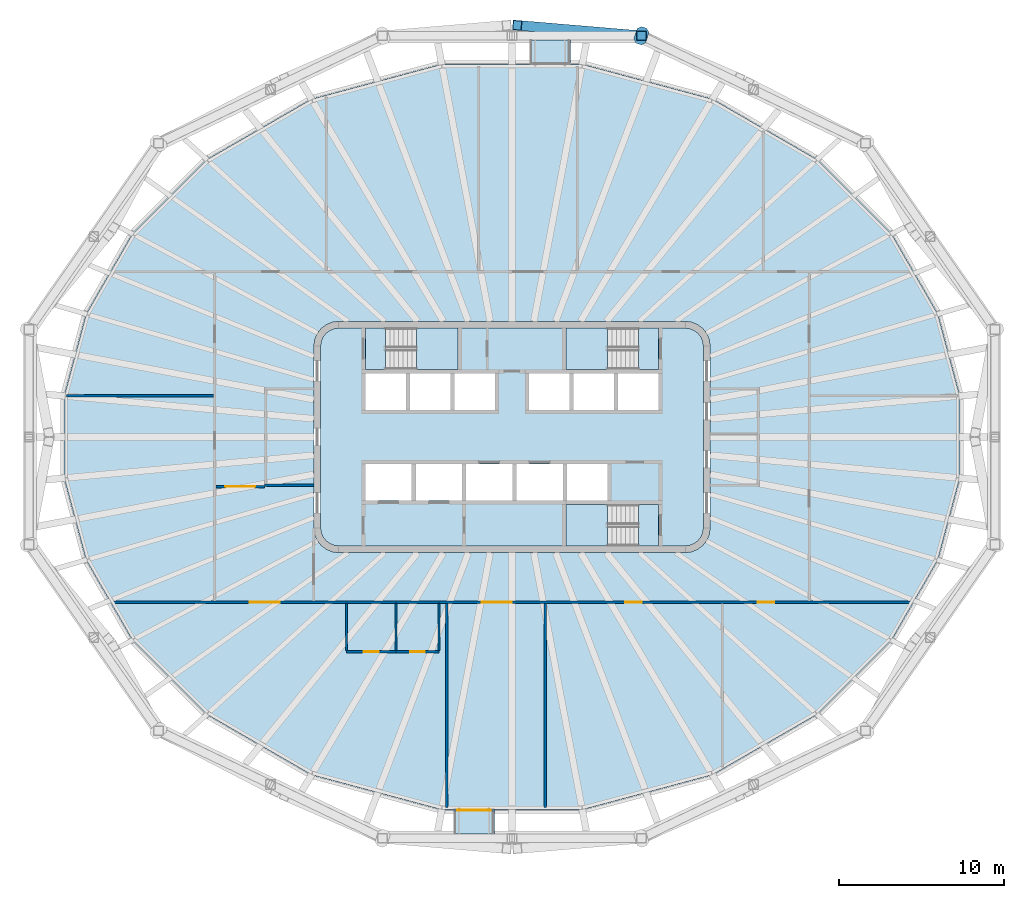
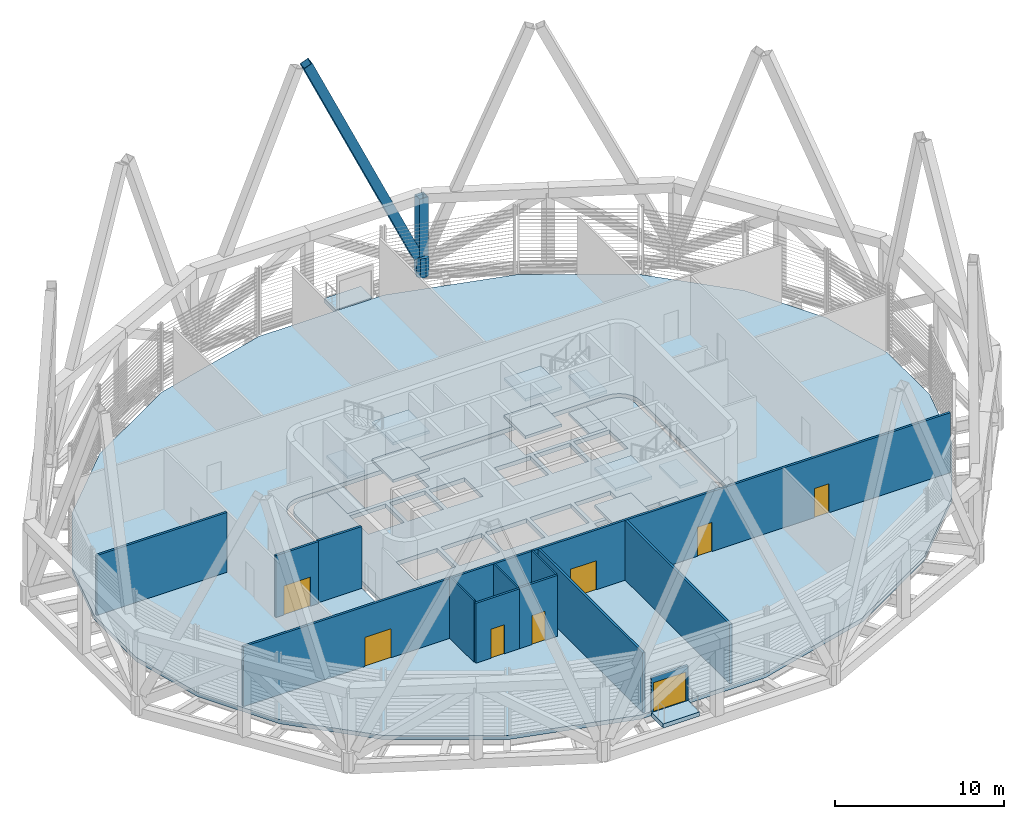
# One storey, part 5 of 16: 16 slabs, 12 walls, 8 doors, 3 members, 8 openings, 3 elements without a shape of their own.
"""IFC4 building model written with IfcOpenShell, lengths in metres."""

from ifc_helpers import new_model, si_unit, direction, frame, frame_2d, origin, origin_2d, place, context, subcontext, project, spatial, polyline, rectangle, hollow_rectangle, outline, extrude, material, layer, layer_set, material_profile, profile_set, type_object, element, fill, aggregate, save


model = new_model("IFC4")

# Units and contexts
model_context = context("Model", 3, precision=1e-05, world=origin(), true_north=direction((0.0, 1.0)))
body_context = subcontext(model_context, "Body", "Model", "MODEL_VIEW")
ifc_project = project(units=[si_unit("LENGTHUNIT", "METRE"), si_unit("AREAUNIT", "SQUARE_METRE"), si_unit("VOLUMEUNIT", "CUBIC_METRE"), si_unit("PLANEANGLEUNIT", "RADIAN"), si_unit("MASSUNIT", "GRAM", prefix="KILO")], contexts=[model_context])

# Site, building, storey
site_placement = place(None, origin())
site = spatial("IfcSite", under=ifc_project, at=site_placement, CompositionType="ELEMENT")
building_placement = place(site_placement, origin())
building = spatial("IfcBuilding", under=site, at=building_placement, Name="Sahrelin Media Tower", CompositionType="ELEMENT")
storey_placement = place(building_placement, frame((0.0, 0.0, 299.0)))
storey = spatial("IfcBuildingStorey", under=building, at=storey_placement, Name="L66", CompositionType="ELEMENT", Elevation=299.0)

# Members
ifc_material_1 = material(Name="Steel S460", Category="steel")
ifc_material_profile_1 = material_profile(ifc_material_1, hollow_rectangle(XDim=0.60009765625, YDim=0.60009765625, WallThickness=0.034912109375, at=origin_2d()), Name="Belt truss post BP")
ifc_profile_set_1 = profile_set([ifc_material_profile_1], Name="Steel S460")
member_type_1 = type_object("IfcMemberType", Name="Belt truss post BP", PredefinedType="POST", material=ifc_profile_set_1)
member_1_placement = place(storey_placement, frame((7.83740234375, 24.30322265625, 0.699951171875), z_axis=(0.0, 0.0, 1.0), x_axis=(1.0, 0.0, 0.0)))
element("IfcMember", 1, at=member_1_placement, inside=storey, type_object=member_type_1, Name="Belt truss member BT15-02-P0", PredefinedType="POST", context=body_context, shape_type="SweptSolid", body=[
    extrude(hollow_rectangle(XDim=0.60009765625, YDim=0.60009765625, WallThickness=0.034912109375, at=origin_2d()), origin(), (0.0, 0.0, 1.0), 4.199951171875),
])
ifc_material_profile_2 = material_profile(ifc_material_1, hollow_rectangle(XDim=0.60009765625, YDim=0.60009765625, WallThickness=0.030029296875, at=origin_2d()), Name="Diagrid diagonal DG9")
ifc_profile_set_2 = profile_set([ifc_material_profile_2], Name="Steel S460")
member_type_2 = type_object("IfcMemberType", Name="Diagrid diagonal DG9", PredefinedType="BRACE", material=ifc_profile_set_2)
member_2_placement = place(storey_placement, frame((7.522216796875, 24.32958984375, 0.699951171875), z_axis=(-0.410453220664, 0.034510328377, 0.911228396661), x_axis=(-0.083782972623, -0.996484025712, 0.0)))
element("IfcMember", 2, at=member_2_placement, inside=storey, type_object=member_type_2, Name="Diagrid diagonal D15-05", PredefinedType="BRACE", context=body_context, shape_type="SweptSolid", body=[
    extrude(hollow_rectangle(XDim=0.60009765625, YDim=0.60009765625, WallThickness=0.030029296875, at=origin_2d()), origin(), (0.0, 0.0, 1.0), 17.55859375),
])
ifc_material_profile_3 = material_profile(ifc_material_1, outline(polyline([(0.324951171875, -0.375), (0.52490234375, -0.175048828125), (0.52490234375, 0.175048828125), (0.324951171875, 0.375), (-0.324951171875, 0.375), (-0.52490234375, 0.175048828125), (-0.52490234375, -0.175048828125), (-0.324951171875, -0.375), (0.324951171875, -0.375)])), Name="Diagrid node block 1050")
ifc_profile_set_3 = profile_set([ifc_material_profile_3], Name="Steel S460")
member_type_3 = type_object("IfcMemberType", Name="Diagrid node block 1050", PredefinedType="USERDEFINED", material=ifc_profile_set_3)
member_3_placement = place(storey_placement, frame((7.83740234375, 24.30322265625, -0.699951171875), z_axis=(0.0, 0.0, 1.0), x_axis=(0.306919783056, 0.951735386948, 0.0)))
element("IfcMember", 3, at=member_3_placement, inside=storey, type_object=member_type_3, Name="Diagrid node N15-02", ObjectType="NODE", PredefinedType="USERDEFINED", context=body_context, shape_type="SweptSolid", body=[
    extrude(outline(polyline([(0.324951171875, -0.375), (0.52490234375, -0.175048828125), (0.52490234375, 0.175048828125), (0.324951171875, 0.375), (-0.324951171875, 0.375), (-0.52490234375, 0.175048828125), (-0.52490234375, -0.175048828125), (-0.324951171875, -0.375), (0.324951171875, -0.375)])), origin(), (0.0, 0.0, 1.0), 1.39990234375),
])

# Slabs
ifc_material_2 = material(Name="Concrete C40/50", Category="concrete")
ifc_layer_1 = layer(ifc_material_2, 0.300048828125)
ifc_layer_set_1 = layer_set([ifc_layer_1], Name="Composite floor slab 300")
slab_type_1 = type_object("IfcSlabType", Name="Composite floor slab 300", PredefinedType="FLOOR", material=ifc_layer_set_1)
placement_1 = place(storey_placement, frame((0.0, 0.0, -0.300048828125)))
element("IfcSlab", 4, at=placement_1, inside=storey, type_object=slab_type_1, Name="Floor slab L66", PredefinedType="FLOOR", context=body_context, shape_type="SweptSolid", body=[
    extrude(outline(polyline([(27.13232421875, -2.488037109375), (27.13232421875, 2.488037109375), (25.8037109375, 7.446533203125), (23.000732421875, 12.301513671875), (18.49365234375, 16.80859375), (12.15087890625, 20.470703125), (4.25927734375, 22.585205078125), (-4.25927734375, 22.585205078125), (-12.15087890625, 20.470703125), (-18.49365234375, 16.80859375), (-23.000732421875, 12.301513671875), (-25.8037109375, 7.446533203125), (-27.13232421875, 2.488037109375), (-27.13232421875, -2.488037109375), (-25.8037109375, -7.446533203125), (-23.000732421875, -12.301513671875), (-18.49365234375, -16.80859375), (-12.15087890625, -20.470703125), (-4.25927734375, -22.585205078125), (4.25927734375, -22.585205078125), (12.15087890625, -20.470703125), (18.49365234375, -16.80859375), (23.000732421875, -12.301513671875), (25.8037109375, -7.446533203125), (27.13232421875, -2.488037109375)]), holes=[polyline([(11.948974609375, 5.88818359375), (12.0, 5.5), (12.0, -5.5), (11.948974609375, -5.88818359375), (11.799072265625, -6.25), (11.560791015625, -6.560791015625), (11.25, -6.799072265625), (10.88818359375, -6.948974609375), (10.5, -7.0), (-10.5, -7.0), (-10.88818359375, -6.948974609375), (-11.25, -6.799072265625), (-11.560791015625, -6.560791015625), (-11.799072265625, -6.25), (-11.948974609375, -5.88818359375), (-12.0, -5.5), (-12.0, 5.5), (-11.948974609375, 5.88818359375), (-11.799072265625, 6.25), (-11.560791015625, 6.560791015625), (-11.25, 6.799072265625), (-10.88818359375, 6.948974609375), (-10.5, 7.0), (10.5, 7.0), (10.88818359375, 6.948974609375), (11.25, 6.799072265625), (11.560791015625, 6.560791015625), (11.799072265625, 6.25), (11.948974609375, 5.88818359375)])]), origin(), (0.0, 0.0, 1.0), 0.300048828125),
])
ifc_layer_2 = layer(ifc_material_2, 0.300048828125)
ifc_layer_set_2 = layer_set([ifc_layer_2], Name="Core floor slab 300")
slab_type_2 = type_object("IfcSlabType", Name="Core floor slab 300", PredefinedType="FLOOR", material=ifc_layer_set_2)
element("IfcSlab", 5, at=placement_1, inside=storey, type_object=slab_type_2, Name="Core floor", PredefinedType="FLOOR", context=body_context, shape_type="SweptSolid", body=[
    extrude(outline(polyline([(-11.60009765625, -5.473876953125), (-11.55908203125, -5.78369140625), (-11.44970703125, -6.04833984375), (-11.275390625, -6.275390625), (-11.04833984375, -6.44970703125), (-10.78369140625, -6.55908203125), (-10.473876953125, -6.60009765625), (3.27490234375, -6.60009765625), (3.27490234375, -4.10009765625), (8.875, -4.10009765625), (8.875, -6.60009765625), (10.473876953125, -6.60009765625), (10.78369140625, -6.55908203125), (11.04833984375, -6.44970703125), (11.275390625, -6.275390625), (11.44970703125, -6.04833984375), (11.55908203125, -5.78369140625), (11.60009765625, -5.473876953125), (11.60009765625, 5.473876953125), (11.55908203125, 5.78369140625), (11.44970703125, 6.04833984375), (11.275390625, 6.275390625), (11.04833984375, 6.44970703125), (10.78369140625, 6.55908203125), (10.473876953125, 6.60009765625), (8.875, 6.60009765625), (8.875, 4.10009765625), (3.27490234375, 4.10009765625), (3.27490234375, 6.60009765625), (-3.27490234375, 6.60009765625), (-3.27490234375, 4.10009765625), (-8.875, 4.10009765625), (-8.875, 6.60009765625), (-10.473876953125, 6.60009765625), (-10.78369140625, 6.55908203125), (-11.04833984375, 6.44970703125), (-11.275390625, 6.275390625), (-11.44970703125, 6.04833984375), (-11.55908203125, 5.78369140625), (-11.60009765625, 5.473876953125), (-11.60009765625, -5.473876953125)]), holes=[polyline([(-8.875, 3.85009765625), (-8.875, 1.64990234375), (-6.425048828125, 1.64990234375), (-6.425048828125, 3.85009765625), (-8.875, 3.85009765625)]), polyline([(-3.72509765625, 3.85009765625), (-6.175048828125, 3.85009765625), (-6.175048828125, 1.64990234375), (-3.72509765625, 1.64990234375), (-3.72509765625, 3.85009765625)]), polyline([(-1.02490234375, 1.64990234375), (-1.02490234375, 3.85009765625), (-3.47509765625, 3.85009765625), (-3.47509765625, 1.64990234375), (-1.02490234375, 1.64990234375)]), polyline([(1.02490234375, 1.64990234375), (3.47509765625, 1.64990234375), (3.47509765625, 3.85009765625), (1.02490234375, 3.85009765625), (1.02490234375, 1.64990234375)]), polyline([(3.72509765625, 3.85009765625), (3.72509765625, 1.64990234375), (6.175048828125, 1.64990234375), (6.175048828125, 3.85009765625), (3.72509765625, 3.85009765625)]), polyline([(8.875, 3.85009765625), (6.425048828125, 3.85009765625), (6.425048828125, 1.64990234375), (8.875, 1.64990234375), (8.875, 3.85009765625)]), polyline([(-6.074951171875, -3.85009765625), (-6.074951171875, -1.64990234375), (-8.875, -1.64990234375), (-8.875, -3.85009765625), (-6.074951171875, -3.85009765625)]), polyline([(-5.824951171875, -3.85009765625), (-3.02490234375, -3.85009765625), (-3.02490234375, -1.64990234375), (-5.824951171875, -1.64990234375), (-5.824951171875, -3.85009765625)]), polyline([(-2.77490234375, -1.64990234375), (-2.77490234375, -3.85009765625), (0.02490234375, -3.85009765625), (0.02490234375, -1.64990234375), (-2.77490234375, -1.64990234375)]), polyline([(3.074951171875, -1.64990234375), (0.27490234375, -1.64990234375), (0.27490234375, -3.85009765625), (3.074951171875, -3.85009765625), (3.074951171875, -1.64990234375)]), polyline([(5.77490234375, -3.85009765625), (5.77490234375, -1.64990234375), (3.324951171875, -1.64990234375), (3.324951171875, -3.85009765625), (5.77490234375, -3.85009765625)])]), origin(), (0.0, 0.0, 1.0), 0.300048828125),
])
ifc_material_3 = material(Name="Steel S355", Category="steel")
ifc_layer_3 = layer(ifc_material_3, 0.14990234375)
ifc_layer_set_3 = layer_set([ifc_layer_3], Name="Maintenance platform")
slab_type_3 = type_object("IfcSlabType", Name="Maintenance platform", PredefinedType="FLOOR", material=ifc_layer_set_3)
element("IfcSlab", 6, at=placement_1, inside=storey, type_object=slab_type_3, Name="Maintenance platform L66-06", PredefinedType="FLOOR", context=body_context, shape_type="SweptSolid", body=[
    extrude(outline(polyline([(3.550048828125, 22.680419921875), (1.050048828125, 22.680419921875), (1.050048828125, 24.05322265625), (3.550048828125, 24.05322265625), (3.550048828125, 22.680419921875)])), origin(), (0.0, 0.0, 1.0), 0.300048828125),
])
element("IfcSlab", 7, at=placement_1, inside=storey, type_object=slab_type_3, Name="Maintenance platform L66-18", PredefinedType="FLOOR", context=body_context, shape_type="SweptSolid", body=[
    extrude(outline(polyline([(-3.550048828125, -22.680419921875), (-1.050048828125, -22.680419921875), (-1.050048828125, -24.05322265625), (-3.550048828125, -24.05322265625), (-3.550048828125, -22.680419921875)])), origin(), (0.0, 0.0, 1.0), 0.300048828125),
])

# Stair, slabs
stair_type = type_object("IfcStairType", Name="Exit stair 1200", PredefinedType="HALF_TURN_STAIR", material=ifc_material_2)
placement_2 = place(storey_placement, origin())
stair_1 = element("IfcStair", 8, at=placement_2, inside=storey, type_object=stair_type, Name="L66 Exit stair ST1", PredefinedType="HALF_TURN_STAIR")
ifc_layer_4 = layer(ifc_material_2, 0.199951171875)
ifc_layer_set_4 = layer_set([ifc_layer_4], Name="Stair landing 200")
slab_type_4 = type_object("IfcSlabType", Name="Stair landing 200", PredefinedType="LANDING", material=ifc_layer_set_4)
placement_3 = place(storey_placement, frame((0.0, 0.0, 1.14990234375)))
slab_5 = element("IfcSlab", 9, at=placement_3, type_object=slab_type_4, Name="ST1 landing 1", PredefinedType="LANDING", context=body_context, shape_type="SweptSolid", body=[
    extrude(outline(polyline([(-5.77490234375, 4.10009765625), (-3.27490234375, 4.10009765625), (-3.27490234375, 6.60009765625), (-5.77490234375, 6.60009765625), (-5.77490234375, 4.10009765625)])), origin(), (0.0, 0.0, 1.0), 0.2001953125),
])
placement_4 = place(storey_placement, frame((0.0, 0.0, 2.5)))
slab_6 = element("IfcSlab", 10, at=placement_4, type_object=slab_type_4, Name="ST1 landing 2", PredefinedType="LANDING", context=body_context, shape_type="SweptSolid", body=[
    extrude(outline(polyline([(-8.875, 4.10009765625), (-7.675048828125, 4.10009765625), (-7.675048828125, 6.60009765625), (-8.875, 6.60009765625), (-8.875, 4.10009765625)])), origin(), (0.0, 0.0, 1.0), 0.199951171875),
])
placement_5 = place(storey_placement, frame((0.0, 0.0, 3.85009765625)))
slab_7 = element("IfcSlab", 11, at=placement_5, type_object=slab_type_4, Name="ST1 landing 3", PredefinedType="LANDING", context=body_context, shape_type="SweptSolid", body=[
    extrude(outline(polyline([(-5.77490234375, 4.10009765625), (-3.27490234375, 4.10009765625), (-3.27490234375, 6.60009765625), (-5.77490234375, 6.60009765625), (-5.77490234375, 4.10009765625)])), origin(), (0.0, 0.0, 1.0), 0.199951171875),
])
placement_6 = place(storey_placement, frame((0.0, 0.0, -0.199951171875)))
slab_8 = element("IfcSlab", 12, at=placement_6, type_object=slab_type_4, Name="ST1 landing 4", PredefinedType="LANDING", context=body_context, shape_type="SweptSolid", body=[
    extrude(outline(polyline([(-8.875, 4.10009765625), (-7.675048828125, 4.10009765625), (-7.675048828125, 6.60009765625), (-8.875, 6.60009765625), (-8.875, 4.10009765625)])), origin(), (0.0, 0.0, 1.0), 0.199951171875),
])
aggregate(stair_1, [slab_5, slab_6, slab_7, slab_8])

stair_2 = element("IfcStair", 13, at=placement_2, inside=storey, type_object=stair_type, Name="L66 Exit stair ST3", PredefinedType="HALF_TURN_STAIR")
slab_9 = element("IfcSlab", 14, at=placement_3, type_object=slab_type_4, Name="ST3 landing 1", PredefinedType="LANDING", context=body_context, shape_type="SweptSolid", body=[
    extrude(outline(polyline([(5.77490234375, 6.60009765625), (3.27490234375, 6.60009765625), (3.27490234375, 4.10009765625), (5.77490234375, 4.10009765625), (5.77490234375, 6.60009765625)])), origin(), (0.0, 0.0, 1.0), 0.2001953125),
])
slab_10 = element("IfcSlab", 15, at=placement_4, type_object=slab_type_4, Name="ST3 landing 2", PredefinedType="LANDING", context=body_context, shape_type="SweptSolid", body=[
    extrude(outline(polyline([(8.875, 6.60009765625), (7.675048828125, 6.60009765625), (7.675048828125, 4.10009765625), (8.875, 4.10009765625), (8.875, 6.60009765625)])), origin(), (0.0, 0.0, 1.0), 0.199951171875),
])
slab_11 = element("IfcSlab", 16, at=placement_5, type_object=slab_type_4, Name="ST3 landing 3", PredefinedType="LANDING", context=body_context, shape_type="SweptSolid", body=[
    extrude(outline(polyline([(5.77490234375, 6.60009765625), (3.27490234375, 6.60009765625), (3.27490234375, 4.10009765625), (5.77490234375, 4.10009765625), (5.77490234375, 6.60009765625)])), origin(), (0.0, 0.0, 1.0), 0.199951171875),
])
slab_12 = element("IfcSlab", 17, at=placement_6, type_object=slab_type_4, Name="ST3 landing 4", PredefinedType="LANDING", context=body_context, shape_type="SweptSolid", body=[
    extrude(outline(polyline([(8.875, 6.60009765625), (7.675048828125, 6.60009765625), (7.675048828125, 4.10009765625), (8.875, 4.10009765625), (8.875, 6.60009765625)])), origin(), (0.0, 0.0, 1.0), 0.199951171875),
])
aggregate(stair_2, [slab_9, slab_10, slab_11, slab_12])

stair_3 = element("IfcStair", 18, at=placement_2, inside=storey, type_object=stair_type, Name="L66 Exit stair ST2", PredefinedType="HALF_TURN_STAIR")
slab_13 = element("IfcSlab", 19, at=placement_3, type_object=slab_type_4, Name="ST2 landing 1", PredefinedType="LANDING", context=body_context, shape_type="SweptSolid", body=[
    extrude(outline(polyline([(5.77490234375, -4.10009765625), (3.27490234375, -4.10009765625), (3.27490234375, -6.60009765625), (5.77490234375, -6.60009765625), (5.77490234375, -4.10009765625)])), origin(), (0.0, 0.0, 1.0), 0.2001953125),
])
slab_14 = element("IfcSlab", 20, at=placement_4, type_object=slab_type_4, Name="ST2 landing 2", PredefinedType="LANDING", context=body_context, shape_type="SweptSolid", body=[
    extrude(outline(polyline([(8.875, -4.10009765625), (7.675048828125, -4.10009765625), (7.675048828125, -6.60009765625), (8.875, -6.60009765625), (8.875, -4.10009765625)])), origin(), (0.0, 0.0, 1.0), 0.199951171875),
])
slab_15 = element("IfcSlab", 21, at=placement_5, type_object=slab_type_4, Name="ST2 landing 3", PredefinedType="LANDING", context=body_context, shape_type="SweptSolid", body=[
    extrude(outline(polyline([(5.77490234375, -4.10009765625), (3.27490234375, -4.10009765625), (3.27490234375, -6.60009765625), (5.77490234375, -6.60009765625), (5.77490234375, -4.10009765625)])), origin(), (0.0, 0.0, 1.0), 0.199951171875),
])
slab_16 = element("IfcSlab", 22, at=placement_6, type_object=slab_type_4, Name="ST2 landing 4", PredefinedType="LANDING", context=body_context, shape_type="SweptSolid", body=[
    extrude(outline(polyline([(8.875, -4.10009765625), (7.675048828125, -4.10009765625), (7.675048828125, -6.60009765625), (8.875, -6.60009765625), (8.875, -4.10009765625)])), origin(), (0.0, 0.0, 1.0), 0.199951171875),
])
aggregate(stair_3, [slab_13, slab_14, slab_15, slab_16])

# Wall, opening, door
ifc_material_4 = material(Name="Fire-rated gypsum board partition")
ifc_layer_5 = layer(ifc_material_4, 0.14990234375)
ifc_layer_set_5 = layer_set([ifc_layer_5], Name="Fire-rated lobby wall 150")
wall_type_1 = type_object("IfcWallType", Name="Fire-rated lobby wall 150", PredefinedType="PARTITIONING", material=ifc_layer_set_5)
wall_1_placement = place(storey_placement, frame((-15.0, -3.0, 0.0), z_axis=(0.0, 0.0, 1.0), x_axis=(-1.0, 0.0, 0.0)))
wall_1 = element("IfcWall", 23, at=wall_1_placement, inside=storey, type_object=wall_type_1, Name="Wall", PredefinedType="PARTITIONING", context=body_context, shape_type="SweptSolid", body=[
    extrude(rectangle(XDim=2.925048828125, YDim=0.14990234375, at=frame_2d((1.46240234375, 0.0))), origin(), (0.0, 0.0, 1.0), 4.47607421875),
])
opening_1_placement = place(wall_1_placement, frame((0.56201171875, 0.0, 0.0)))
opening_1 = element("IfcOpeningElement", 24, at=opening_1_placement, cuts=wall_1, Name="Opening L66-D27", PredefinedType="OPENING", context=body_context, shape_type="SweptSolid", body=[
    extrude(rectangle(XDim=1.800048828125, YDim=2.10009765625, at=frame_2d((0.89990234375, 1.050048828125))), frame((0.0, 0.074951171875, 0.0), z_axis=(0.0, -1.0, 0.0), x_axis=(1.0, 0.0, 0.0)), (0.0, 0.0, 1.0), 0.14990234375),
])
ifc_material_5 = material(Name="Steel fire door leaf", Category="steel")
door_type_1 = type_object("IfcDoorType", Name="Lobby double door 1800 x 2100 EI 60", OperationType="DOUBLE_DOOR_SINGLE_SWING", PredefinedType="DOOR", material=ifc_material_5)
door_1_placement = place(opening_1_placement, origin())
door_1 = element("IfcDoor", 25, at=door_1_placement, inside=storey, type_object=door_type_1, Name="Lobby double door", OperationType="DOUBLE_DOOR_SINGLE_SWING", OverallHeight=2.10009765625, OverallWidth=1.800048828125, PredefinedType="DOOR", context=body_context, shape_type="SweptSolid", body=[
    extrude(rectangle(XDim=1.800048828125, YDim=2.10009765625, at=frame_2d((0.89990234375, 1.050048828125))), frame((0.0, 0.02490234375, 0.0), z_axis=(0.0, -1.0, 0.0), x_axis=(1.0, 0.0, 0.0)), (0.0, 0.0, 1.0), 0.050048828125),
])
fill(opening_1, door_1)

# Wall
ifc_layer_6 = layer(ifc_material_4, 0.14990234375)
ifc_layer_set_6 = layer_set([ifc_layer_6], Name="Fire-rated partition 150")
wall_type_2 = type_object("IfcWallType", Name="Fire-rated partition 150", PredefinedType="PARTITIONING", material=ifc_layer_set_6)
wall_2_placement = place(storey_placement, frame((-15.0, -2.925048828125, 0.0), z_axis=(0.0, 0.0, 1.0), x_axis=(1.0, 0.0, 0.0)))
element("IfcWall", 26, at=wall_2_placement, inside=storey, type_object=wall_type_2, Name="Core room fire partition", PredefinedType="PARTITIONING", context=body_context, shape_type="SweptSolid", body=[
    extrude(rectangle(XDim=3.0, YDim=0.14990234375, at=frame_2d((1.5, 0.0))), origin(), (0.0, 0.0, 1.0), 4.47607421875),
])

# Wall, openings, doors
wall_3_placement = place(storey_placement, frame((-24.179443359375, -10.0, 0.0), z_axis=(0.0, 0.0, 1.0), x_axis=(1.0, 0.0, 0.0)))
wall_3 = element("IfcWall", 27, at=wall_3_placement, inside=storey, type_object=wall_type_2, Name="Wall", PredefinedType="PARTITIONING", context=body_context, shape_type="SweptSolid", body=[
    extrude(rectangle(XDim=48.35888671875, YDim=0.14990234375, at=frame_2d((24.179443359375, 0.0))), origin(), (0.0, 0.0, 1.0), 4.326904296875),
])
opening_2_placement = place(wall_3_placement, frame((31.050048828125, 0.0, 0.0)))
opening_2 = element("IfcOpeningElement", 28, at=opening_2_placement, cuts=wall_3, Name="Opening L66-D20", PredefinedType="OPENING", context=body_context, shape_type="SweptSolid", body=[
    extrude(rectangle(XDim=1.0, YDim=2.10009765625, at=frame_2d((0.5, 1.050048828125))), frame((0.0, 0.074951171875, 0.0), z_axis=(0.0, -1.0, 0.0), x_axis=(1.0, 0.0, 0.0)), (0.0, 0.0, 1.0), 0.14990234375),
])
opening_3_placement = place(wall_3_placement, frame((39.050048828125, 0.0, 0.0)))
opening_3 = element("IfcOpeningElement", 29, at=opening_3_placement, cuts=wall_3, Name="Opening L66-D21", PredefinedType="OPENING", context=body_context, shape_type="SweptSolid", body=[
    extrude(rectangle(XDim=1.0, YDim=2.10009765625, at=frame_2d((0.5, 1.050048828125))), frame((0.0, 0.074951171875, 0.0), z_axis=(0.0, -1.0, 0.0), x_axis=(1.0, 0.0, 0.0)), (0.0, 0.0, 1.0), 0.14990234375),
])
opening_4_placement = place(wall_3_placement, frame((8.300048828125, 0.0, 0.0)))
opening_4 = element("IfcOpeningElement", 30, at=opening_4_placement, cuts=wall_3, Name="Opening L66-D28", PredefinedType="OPENING", context=body_context, shape_type="SweptSolid", body=[
    extrude(rectangle(XDim=1.800048828125, YDim=2.10009765625, at=frame_2d((0.89990234375, 1.050048828125))), frame((0.0, 0.074951171875, 0.0), z_axis=(0.0, -1.0, 0.0), x_axis=(1.0, 0.0, 0.0)), (0.0, 0.0, 1.0), 0.14990234375),
])
opening_5_placement = place(wall_3_placement, frame((22.35009765625, 0.0, 0.0)))
opening_5 = element("IfcOpeningElement", 31, at=opening_5_placement, cuts=wall_3, Name="Opening L66-D32", PredefinedType="OPENING", context=body_context, shape_type="SweptSolid", body=[
    extrude(rectangle(XDim=1.800048828125, YDim=2.10009765625, at=frame_2d((0.89990234375, 1.050048828125))), frame((0.0, 0.074951171875, 0.0), z_axis=(0.0, -1.0, 0.0), x_axis=(1.0, 0.0, 0.0)), (0.0, 0.0, 1.0), 0.14990234375),
])
door_type_2 = type_object("IfcDoorType", Name="Fire door 1000 x 2100 EI 60", OperationType="NOTDEFINED", PredefinedType="DOOR", material=ifc_material_5)
door_2_placement = place(opening_2_placement, origin())
door_2 = element("IfcDoor", 32, at=door_2_placement, inside=storey, type_object=door_type_2, Name="Fire door", OperationType="SINGLE_SWING_RIGHT", OverallHeight=2.10009765625, OverallWidth=1.0, PredefinedType="DOOR", context=body_context, shape_type="SweptSolid", body=[
    extrude(rectangle(XDim=1.0, YDim=2.10009765625, at=frame_2d((0.5, 1.050048828125))), frame((0.0, 0.02490234375, 0.0), z_axis=(0.0, -1.0, 0.0), x_axis=(1.0, 0.0, 0.0)), (0.0, 0.0, 1.0), 0.050048828125),
])
fill(opening_2, door_2)
door_3_placement = place(opening_3_placement, origin())
door_3 = element("IfcDoor", 33, at=door_3_placement, inside=storey, type_object=door_type_2, Name="Fire door", OperationType="SINGLE_SWING_RIGHT", OverallHeight=2.10009765625, OverallWidth=1.0, PredefinedType="DOOR", context=body_context, shape_type="SweptSolid", body=[
    extrude(rectangle(XDim=1.0, YDim=2.10009765625, at=frame_2d((0.5, 1.050048828125))), frame((0.0, 0.02490234375, 0.0), z_axis=(0.0, -1.0, 0.0), x_axis=(1.0, 0.0, 0.0)), (0.0, 0.0, 1.0), 0.050048828125),
])
fill(opening_3, door_3)
door_4_placement = place(opening_4_placement, origin())
door_4 = element("IfcDoor", 34, at=door_4_placement, inside=storey, type_object=door_type_1, Name="Lobby double door", OperationType="DOUBLE_DOOR_SINGLE_SWING", OverallHeight=2.10009765625, OverallWidth=1.800048828125, PredefinedType="DOOR", context=body_context, shape_type="SweptSolid", body=[
    extrude(rectangle(XDim=1.800048828125, YDim=2.10009765625, at=frame_2d((0.89990234375, 1.050048828125))), frame((0.0, 0.02490234375, 0.0), z_axis=(0.0, -1.0, 0.0), x_axis=(1.0, 0.0, 0.0)), (0.0, 0.0, 1.0), 0.050048828125),
])
fill(opening_4, door_4)
door_type_3 = type_object("IfcDoorType", Name="Service double door 1800 x 2100 EI 60", OperationType="DOUBLE_DOOR_SINGLE_SWING", PredefinedType="DOOR", material=ifc_material_5)
door_5_placement = place(opening_5_placement, origin())
door_5 = element("IfcDoor", 35, at=door_5_placement, inside=storey, type_object=door_type_3, Name="Service double door", OperationType="DOUBLE_DOOR_SINGLE_SWING", OverallHeight=2.10009765625, OverallWidth=1.800048828125, PredefinedType="DOOR", context=body_context, shape_type="SweptSolid", body=[
    extrude(rectangle(XDim=1.800048828125, YDim=2.10009765625, at=frame_2d((0.89990234375, 1.050048828125))), frame((0.0, 0.02490234375, 0.0), z_axis=(0.0, -1.0, 0.0), x_axis=(1.0, 0.0, 0.0)), (0.0, 0.0, 1.0), 0.050048828125),
])
fill(opening_5, door_5)

# Walls
for number, where, z_axis, x_axis, name in (
    (36, (-3.949951171875, -10.074951171875, 0.0), (0.0, 0.0, 1.0), (0.0, -1.0, 0.0), "Wall"),
    (37, (2.0, -10.074951171875, 0.0), (0.0, 0.0, 1.0), (0.0, -1.0, 0.0), "Wall"),
):
    element("IfcWall", number, at=place(storey_placement, frame(where, z_axis=z_axis, x_axis=x_axis)), inside=storey, type_object=wall_type_2, Name=name, PredefinedType="PARTITIONING", context=body_context, shape_type="SweptSolid", body=[
        extrude(rectangle(XDim=12.38037109375, YDim=0.14990234375, at=frame_2d((6.190185546875, 0.0))), origin(), (0.0, 0.0, 1.0), 4.326904296875),
    ])
wall_4_placement = place(storey_placement, frame((-18.074951171875, 2.5, 0.0), z_axis=(0.0, 0.0, 1.0), x_axis=(-1.0, 0.0, 0.0)))
element("IfcWall", 38, at=wall_4_placement, inside=storey, type_object=wall_type_2, Name="Wall", PredefinedType="PARTITIONING", context=body_context, shape_type="SweptSolid", body=[
    extrude(rectangle(XDim=8.919677734375, YDim=0.14990234375, at=frame_2d((4.4599609375, 0.0))), origin(), (0.0, 0.0, 1.0), 4.326904296875),
])

# Wall, opening, door
wall_5_placement = place(storey_placement, frame((-10.02490234375, -13.0, 0.0), z_axis=(0.0, 0.0, 1.0), x_axis=(1.0, 0.0, 0.0)))
wall_5 = element("IfcWall", 39, at=wall_5_placement, inside=storey, type_object=wall_type_2, Name="Wall", PredefinedType="PARTITIONING", context=body_context, shape_type="SweptSolid", body=[
    extrude(rectangle(XDim=3.0, YDim=0.14990234375, at=frame_2d((1.5, 0.0))), origin(), (0.0, 0.0, 1.0), 4.326904296875),
])
opening_6_placement = place(wall_5_placement, frame((1.050048828125, 0.0, 0.0)))
opening_6 = element("IfcOpeningElement", 40, at=opening_6_placement, cuts=wall_5, Name="Opening L66-D29", PredefinedType="OPENING", context=body_context, shape_type="SweptSolid", body=[
    extrude(rectangle(XDim=0.89990234375, YDim=2.10009765625, at=frame_2d((0.449951171875, 1.050048828125))), frame((0.0, 0.074951171875, 0.0), z_axis=(0.0, -1.0, 0.0), x_axis=(1.0, 0.0, 0.0)), (0.0, 0.0, 1.0), 0.14990234375),
])
ifc_material_6 = material(Name="Timber door leaf", Category="wood")
door_type_4 = type_object("IfcDoorType", Name="Single door 900 x 2100", OperationType="NOTDEFINED", PredefinedType="DOOR", material=ifc_material_6)
door_6_placement = place(opening_6_placement, origin())
door_6 = element("IfcDoor", 41, at=door_6_placement, inside=storey, type_object=door_type_4, Name="Single door", OperationType="SINGLE_SWING_RIGHT", OverallHeight=2.10009765625, OverallWidth=0.89990234375, PredefinedType="DOOR", context=body_context, shape_type="SweptSolid", body=[
    extrude(rectangle(XDim=0.89990234375, YDim=2.10009765625, at=frame_2d((0.449951171875, 1.050048828125))), frame((0.0, 0.02490234375, 0.0), z_axis=(0.0, -1.0, 0.0), x_axis=(1.0, 0.0, 0.0)), (0.0, 0.0, 1.0), 0.050048828125),
])
fill(opening_6, door_6)

wall_6_placement = place(storey_placement, frame((-7.02490234375, -13.0, 0.0), z_axis=(0.0, 0.0, 1.0), x_axis=(1.0, 0.0, 0.0)))
wall_6 = element("IfcWall", 42, at=wall_6_placement, inside=storey, type_object=wall_type_2, Name="Wall", PredefinedType="PARTITIONING", context=body_context, shape_type="SweptSolid", body=[
    extrude(rectangle(XDim=2.599853515625, YDim=0.14990234375, at=frame_2d((1.2998046875, 0.0))), origin(), (0.0, 0.0, 1.0), 4.395263671875),
])
opening_7_placement = place(wall_6_placement, frame((0.85009765625, 0.0, 0.0)))
opening_7 = element("IfcOpeningElement", 43, at=opening_7_placement, cuts=wall_6, Name="Opening L66-D30", PredefinedType="OPENING", context=body_context, shape_type="SweptSolid", body=[
    extrude(rectangle(XDim=0.89990234375, YDim=2.10009765625, at=frame_2d((0.449951171875, 1.050048828125))), frame((0.0, 0.074951171875, 0.0), z_axis=(0.0, -1.0, 0.0), x_axis=(1.0, 0.0, 0.0)), (0.0, 0.0, 1.0), 0.14990234375),
])
door_7_placement = place(opening_7_placement, origin())
door_7 = element("IfcDoor", 44, at=door_7_placement, inside=storey, type_object=door_type_4, Name="Single door", OperationType="SINGLE_SWING_RIGHT", OverallHeight=2.10009765625, OverallWidth=0.89990234375, PredefinedType="DOOR", context=body_context, shape_type="SweptSolid", body=[
    extrude(rectangle(XDim=0.89990234375, YDim=2.10009765625, at=frame_2d((0.449951171875, 1.050048828125))), frame((0.0, 0.02490234375, 0.0), z_axis=(0.0, -1.0, 0.0), x_axis=(1.0, 0.0, 0.0)), (0.0, 0.0, 1.0), 0.050048828125),
])
fill(opening_7, door_7)

# Walls
ifc_material_7 = material(Name="Gypsum board partition")
ifc_layer_7 = layer(ifc_material_7, 0.10009765625)
ifc_layer_set_7 = layer_set([ifc_layer_7], Name="Partition 100")
wall_type_3 = type_object("IfcWallType", Name="Partition 100", PredefinedType="PARTITIONING", material=ifc_layer_set_7)
wall_7_placement = place(storey_placement, frame((-10.02490234375, -12.925048828125, 0.0), z_axis=(0.0, 0.0, 1.0), x_axis=(0.0, 1.0, 0.0)))
element("IfcWall", 45, at=wall_7_placement, inside=storey, type_object=wall_type_3, Name="Wall", PredefinedType="PARTITIONING", context=body_context, shape_type="SweptSolid", body=[
    extrude(rectangle(XDim=2.85009765625, YDim=0.10009765625, at=frame_2d((1.425048828125, 0.0))), origin(), (0.0, 0.0, 1.0), 4.47607421875),
])
wall_8_placement = place(storey_placement, frame((-7.02490234375, -12.925048828125, 0.0), z_axis=(0.0, 0.0, 1.0), x_axis=(0.0, 1.0, 0.0)))
element("IfcWall", 46, at=wall_8_placement, inside=storey, type_object=wall_type_3, Name="Wall", PredefinedType="PARTITIONING", context=body_context, shape_type="SweptSolid", body=[
    extrude(rectangle(XDim=2.85009765625, YDim=0.10009765625, at=frame_2d((1.425048828125, 0.0))), origin(), (0.0, 0.0, 1.0), 4.326904296875),
])
wall_9_placement = place(storey_placement, frame((-4.425048828125, -12.925048828125, 0.0), z_axis=(0.0, 0.0, 1.0), x_axis=(0.0, 1.0, 0.0)))
element("IfcWall", 47, at=wall_9_placement, inside=storey, type_object=wall_type_3, Name="Wall", PredefinedType="PARTITIONING", context=body_context, shape_type="SweptSolid", body=[
    extrude(rectangle(XDim=2.85009765625, YDim=0.10009765625, at=frame_2d((1.425048828125, 0.0))), origin(), (0.0, 0.0, 1.0), 4.395263671875),
])

# Wall, opening, door
ifc_material_8 = material(Name="Aluminium louvre cladding 6063-T6", Category="aluminium")
ifc_layer_8 = layer(ifc_material_8, 0.14990234375)
ifc_layer_set_8 = layer_set([ifc_layer_8], Name="Plant louvre door wall")
wall_type_4 = type_object("IfcWallType", Name="Plant louvre door wall", PredefinedType="SOLIDWALL", material=ifc_layer_set_8)
wall_10_placement = place(storey_placement, frame((-1.050048828125, -22.605224609375, 0.0), z_axis=(0.0, 0.0, 1.0), x_axis=(-1.0, 0.0, 0.0)))
wall_10 = element("IfcWall", 48, at=wall_10_placement, inside=storey, type_object=wall_type_4, Name="Plant louvre door wall L66-18", PredefinedType="SOLIDWALL", context=body_context, shape_type="SweptSolid", body=[
    extrude(rectangle(XDim=2.5, YDim=0.14990234375, at=frame_2d((1.25, 0.0))), origin(), (0.0, 0.0, 1.0), 2.5),
])
opening_8_placement = place(wall_10_placement, frame((0.14990234375, 0.0, 0.0)))
opening_8 = element("IfcOpeningElement", 49, at=opening_8_placement, cuts=wall_10, Name="Opening MD12", PredefinedType="OPENING", context=body_context, shape_type="SweptSolid", body=[
    extrude(rectangle(XDim=2.199951171875, YDim=2.10009765625, at=frame_2d((1.10009765625, 1.050048828125))), frame((0.0, 0.074951171875, 0.0), z_axis=(0.0, -1.0, 0.0), x_axis=(1.0, 0.0, 0.0)), (0.0, 0.0, 1.0), 0.14990234375),
])
ifc_material_9 = material(Name="Champagne anodised aluminium 6063-T6", Category="aluminium")
door_type_5 = type_object("IfcDoorType", Name="Plant maintenance door 2200x2100", OperationType="DOUBLE_DOOR_SINGLE_SWING", PredefinedType="DOOR", material=ifc_material_9)
door_8_placement = place(opening_8_placement, origin())
door_8 = element("IfcDoor", 50, at=door_8_placement, inside=storey, type_object=door_type_5, Name="Plant maintenance door MD12", OperationType="DOUBLE_DOOR_SINGLE_SWING", OverallHeight=2.10009765625, OverallWidth=2.199951171875, PredefinedType="DOOR", context=body_context, shape_type="SweptSolid", body=[
    extrude(rectangle(XDim=2.199951171875, YDim=2.10009765625, at=frame_2d((1.10009765625, 1.050048828125))), frame((0.0, 0.02490234375, 0.0), z_axis=(0.0, -1.0, 0.0), x_axis=(1.0, 0.0, 0.0)), (0.0, 0.0, 1.0), 0.050048828125),
])
fill(opening_8, door_8)

save(model, "model.ifc")
